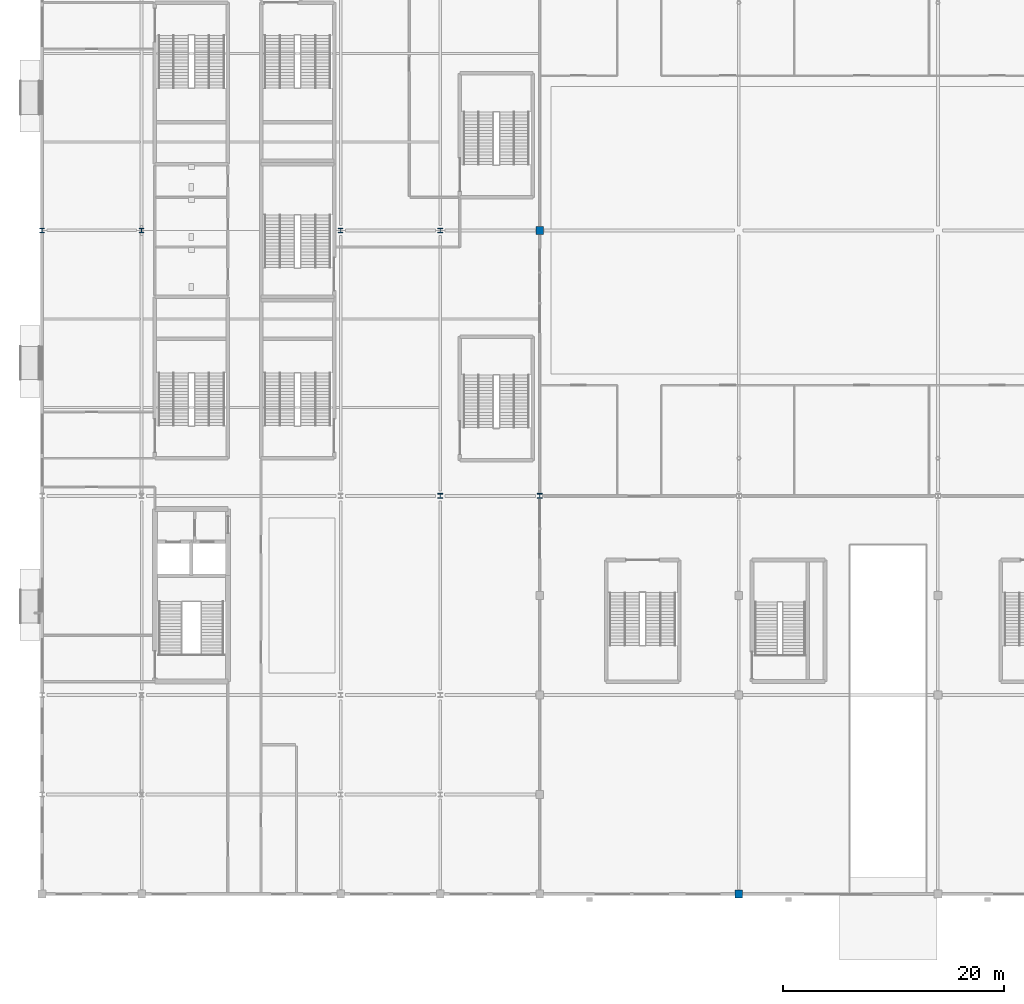
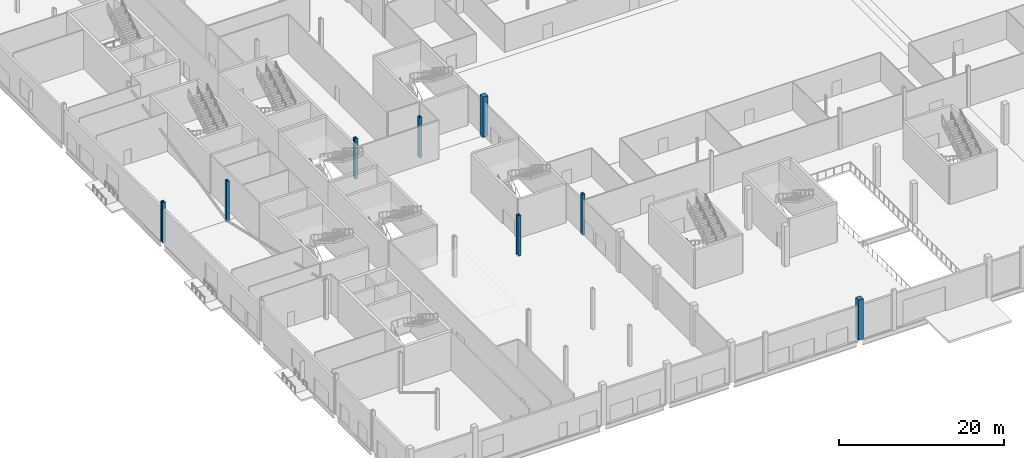
# One storey, part 2 of 84: 8 columns.
"""IFC4 building model written with IfcOpenShell, lengths in metres."""

from ifc_helpers import new_model, si_unit, direction, frame, origin, origin_2d, place, context, subcontext, project, spatial, rectangle, i_section, extrude, material, material_profile, profile_set, type_object, element, save


model = new_model("IFC4")

# Units and contexts
model_context = context("Model", 3, precision=1e-05, world=origin(), true_north=direction((0.0, 1.0)))
body_context = subcontext(model_context, "Body", "Model", "MODEL_VIEW")
ifc_project = project(units=[si_unit("LENGTHUNIT", "METRE"), si_unit("AREAUNIT", "SQUARE_METRE"), si_unit("VOLUMEUNIT", "CUBIC_METRE"), si_unit("PLANEANGLEUNIT", "RADIAN"), si_unit("MASSUNIT", "GRAM", prefix="KILO")], contexts=[model_context])

# Site, building, storey
site_placement = place(None, origin())
site = spatial("IfcSite", under=ifc_project, at=site_placement, CompositionType="ELEMENT")
building_placement = place(site_placement, origin())
building = spatial("IfcBuilding", under=site, at=building_placement, Name="Kisiwana Market Hall", CompositionType="ELEMENT")
storey_placement = place(building_placement, origin())
storey = spatial("IfcBuildingStorey", under=building, at=storey_placement, Name="L00", CompositionType="ELEMENT", Elevation=0.0)

# Columns
ifc_material_1 = material(Name="Concrete C40/50", Category="concrete")
ifc_material_profile_1 = material_profile(ifc_material_1, rectangle(XDim=0.699951171875, YDim=0.699951171875, at=origin_2d()), Name="RC 700x700")
ifc_profile_set_1 = profile_set([ifc_material_profile_1], Name="Concrete C40/50")
column_type_1 = type_object("IfcColumnType", Name="COL-RC-POD-700", PredefinedType="COLUMN", material=ifc_profile_set_1)
for number, where, z_axis, x_axis, name in (
    (1, (45.0, 60.0, 0.0), (0.0, 0.0, 1.0), (1.0, 0.0, 0.0), "Column H/6 (L00) C-0228"),
    (2, (63.0, 0.0, 0.0), (0.0, 0.0, 1.0), (1.0, 0.0, 0.0), "Column A/8 (L00) C-0235"),
):
    element("IfcColumn", number, at=place(storey_placement, frame(where, z_axis=z_axis, x_axis=x_axis)), inside=storey, type_object=column_type_1, Name=name, PredefinedType="COLUMN", context=body_context, shape_type="SweptSolid", body=[
        extrude(rectangle(XDim=0.699951171875, YDim=0.699951171875, at=origin_2d()), origin(), (0.0, 0.0, 1.0), 6.0),
    ])
ifc_material_2 = material(Name="Steel S355", Category="steel")
ifc_material_profile_2 = material_profile(ifc_material_2, i_section(OverallWidth=0.412109375, OverallDepth=0.43505859375, WebThickness=0.035888671875, FlangeThickness=0.05810546875, at=origin_2d()), Name="HD 400x463")
ifc_profile_set_2 = profile_set([ifc_material_profile_2], Name="Steel S355")
column_type_2 = type_object("IfcColumnType", Name="COL-STL-HD463", PredefinedType="COLUMN", material=ifc_profile_set_2)
for number, where, z_axis, x_axis, name in (
    (3, (0.0, 60.0, 0.0), (0.0, 0.0, 1.0), (1.0, 0.0, 0.0), "Column H/1 (L00) C-0189"),
    (4, (27.0, 60.0, 0.0), (0.0, 0.0, 1.0), (1.0, 0.0, 0.0), "Column H/4 (L00) C-0208"),
    (5, (36.0, 36.0, 0.0), (0.0, 0.0, 1.0), (1.0, 0.0, 0.0), "Column E/5 (L00) C-0217"),
    (6, (45.0, 36.0, 0.0), (0.0, 0.0, 1.0), (1.0, 0.0, 0.0), "Column E/6 (L00) C-0227"),
    (7, (9.0, 60.0, 0.0), (0.0, 0.0, 1.0), (1.0, 0.0, 0.0), "Column H/2 (L00) C-0181"),
    (8, (36.0, 60.0, 0.0), (0.0, 0.0, 1.0), (1.0, 0.0, 0.0), "Column H/5 (L00) C-0182"),
):
    element("IfcColumn", number, at=place(storey_placement, frame(where, z_axis=z_axis, x_axis=x_axis)), inside=storey, type_object=column_type_2, Name=name, PredefinedType="COLUMN", context=body_context, shape_type="SweptSolid", body=[
        extrude(i_section(OverallWidth=0.412109375, OverallDepth=0.43505859375, WebThickness=0.035888671875, FlangeThickness=0.05810546875, at=origin_2d()), origin(), (0.0, 0.0, 1.0), 6.0),
    ])

save(model, "model.ifc")
